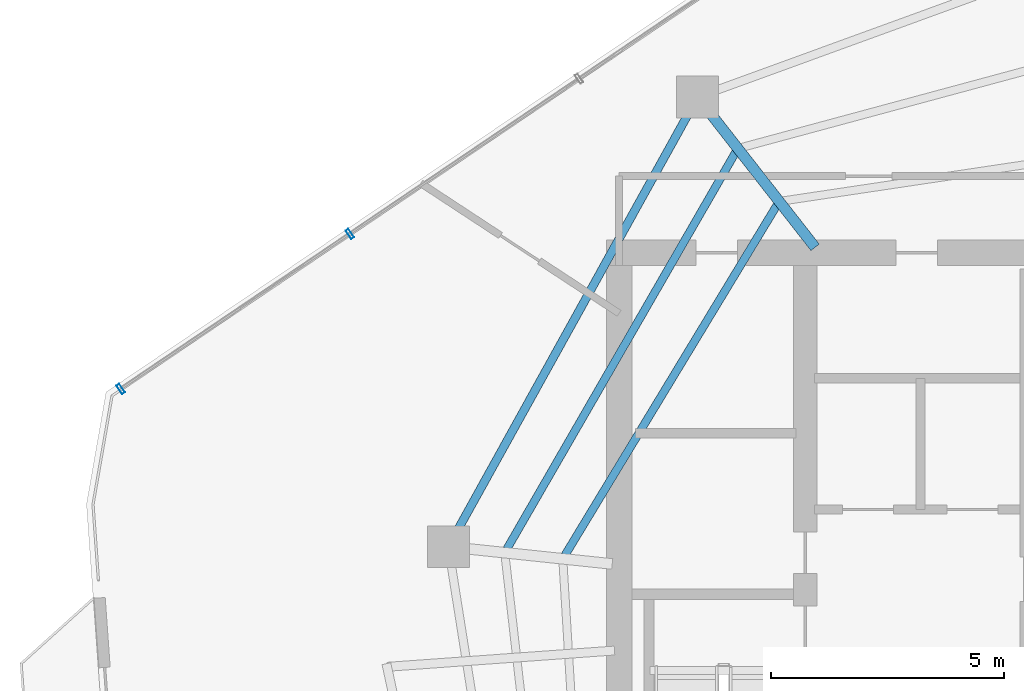
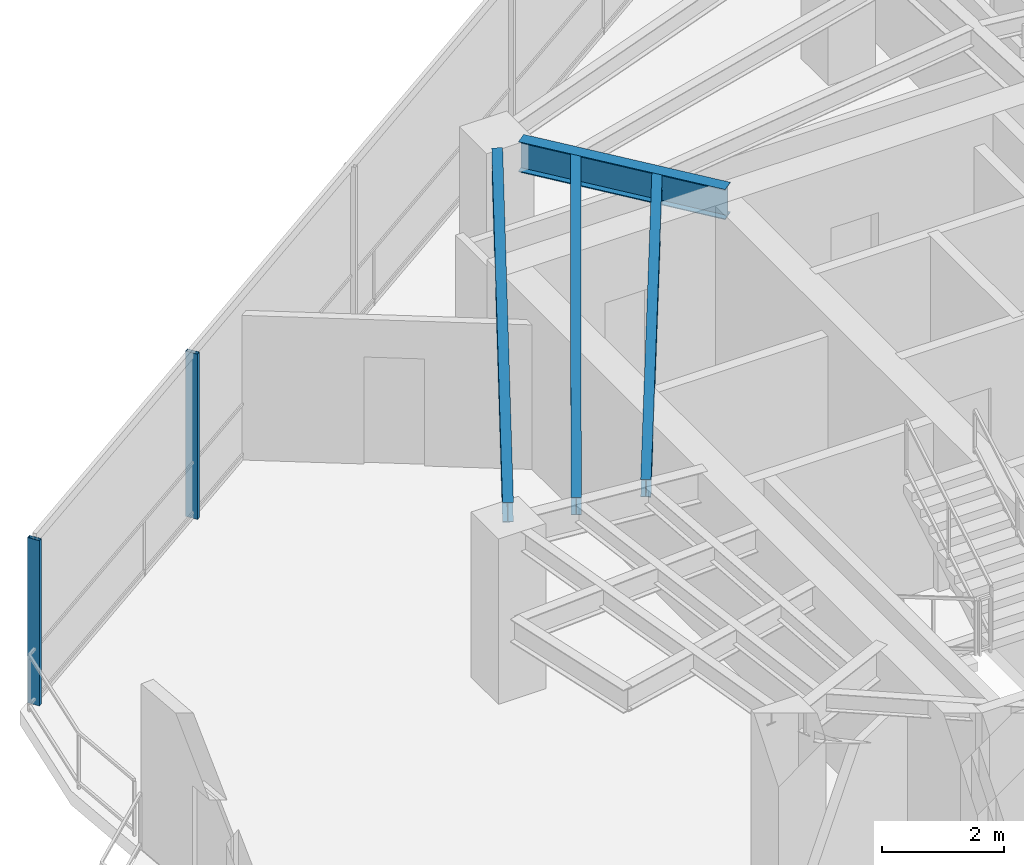
# One storey, part 7 of 20: 4 beams, 2 members, 1 element without a shape of its own.
"""IFC4 building model written with IfcOpenShell, lengths in metres."""

from ifc_helpers import new_model, si_unit, direction, frame, origin, origin_2d, place, context, subcontext, project, spatial, hollow_rectangle, i_section, extrude, material, layer, layer_set, material_profile, profile_set, type_object, element, aggregate, save


model = new_model("IFC4")

# Units and contexts
model_context = context("Model", 3, precision=1e-05, world=origin(), true_north=direction((0.0, 1.0)))
body_context = subcontext(model_context, "Body", "Model", "MODEL_VIEW")
ifc_project = project(units=[si_unit("LENGTHUNIT", "METRE"), si_unit("AREAUNIT", "SQUARE_METRE"), si_unit("VOLUMEUNIT", "CUBIC_METRE"), si_unit("PLANEANGLEUNIT", "RADIAN"), si_unit("MASSUNIT", "GRAM", prefix="KILO")], contexts=[model_context])

# Site, building, storey
site_placement = place(None, origin())
site = spatial("IfcSite", under=ifc_project, at=site_placement, CompositionType="ELEMENT")
building_placement = place(site_placement, origin())
building = spatial("IfcBuilding", under=site, at=building_placement, Name="Qarnah Convention Tower", CompositionType="ELEMENT")
storey_placement = place(building_placement, frame((0.0, 0.0, 195.0)))
storey = spatial("IfcBuildingStorey", under=building, at=storey_placement, Name="L52", CompositionType="ELEMENT", Elevation=195.0)

# Beams
ifc_material_1 = material(Name="Structural steel S355JR", Category="steel")
ifc_material_profile_1 = material_profile(ifc_material_1, i_section(OverallWidth=0.172119140625, OverallDepth=0.35595703125, WebThickness=0.007080078125, FlangeThickness=0.011962890625, at=origin_2d()), Name="W360X51")
ifc_profile_set_1 = profile_set([ifc_material_profile_1], Name="Structural steel S355JR")
beam_type_1 = type_object("IfcBeamType", Name="BM-JST-W360", PredefinedType="JOIST", material=ifc_profile_set_1)
beam_1_placement = place(storey_placement, frame((29.306884765625, 36.365966796875, 3.14208984375), z_axis=(-0.499518662922, -0.866303125582, 0.0), x_axis=(0.866303125582, -0.499518662922, 0.0)))
element("IfcBeam", 1, at=beam_1_placement, inside=storey, type_object=beam_type_1, Name="L52 joist BM-L52-SJST-04", PredefinedType="JOIST", context=body_context, shape_type="SweptSolid", body=[
    extrude(i_section(OverallWidth=0.172119140625, OverallDepth=0.35595703125, WebThickness=0.007080078125, FlangeThickness=0.011962890625, at=origin_2d()), origin(), (0.0, 0.0, 1.0), 9.853271484375),
])
beam_2_placement = place(storey_placement, frame((30.195068359375, 35.22802734375, 3.14208984375), z_axis=(-0.517953819746, -0.855408581095, 0.0), x_axis=(0.855408581095, -0.517953819746, 0.0)))
element("IfcBeam", 2, at=beam_2_placement, inside=storey, type_object=beam_type_1, Name="L52 joist BM-L52-IJST-04", PredefinedType="JOIST", context=body_context, shape_type="SweptSolid", body=[
    extrude(i_section(OverallWidth=0.172119140625, OverallDepth=0.35595703125, WebThickness=0.007080078125, FlangeThickness=0.011962890625, at=origin_2d()), origin(), (0.0, 0.0, 1.0), 8.803955078125),
])
ifc_material_profile_2 = material_profile(ifc_material_1, i_section(OverallWidth=0.22802734375, OverallDepth=0.60791015625, WebThickness=0.010986328125, FlangeThickness=0.01708984375, at=origin_2d()), Name="W610X113")
ifc_profile_set_2 = profile_set([ifc_material_profile_2], Name="Structural steel S355JR")
beam_type_2 = type_object("IfcBeamType", Name="BM-RAD-W610B", PredefinedType="BEAM", material=ifc_profile_set_2)
beam_3_placement = place(storey_placement, frame((31.013916015625, 34.318115234375, 3.01611328125), z_axis=(-0.615807906571, 0.787896327066, 0.0), x_axis=(-0.787896327066, -0.615807906571, 0.0)))
element("IfcBeam", 3, at=beam_3_placement, inside=storey, type_object=beam_type_2, Name="L52 beam BM-L52-RAD-04", PredefinedType="BEAM", context=body_context, shape_type="SweptSolid", body=[
    extrude(i_section(OverallWidth=0.22802734375, OverallDepth=0.60791015625, WebThickness=0.010986328125, FlangeThickness=0.01708984375, at=origin_2d()), origin(), (0.0, 0.0, 1.0), 3.671630859375),
])
ifc_material_profile_3 = material_profile(ifc_material_1, i_section(OverallWidth=0.179931640625, OverallDepth=0.39990234375, WebThickness=0.009033203125, FlangeThickness=0.013916015625, at=origin_2d()), Name="IPE400")
ifc_profile_set_3 = profile_set([ifc_material_profile_3], Name="Structural steel S355JR")
beam_type_3 = type_object("IfcBeamType", Name="BM-SPN-IPE400", PredefinedType="SPANDREL", material=ifc_profile_set_3)
beam_4_placement = place(storey_placement, frame((28.27490234375, 37.1650390625, 3.1201171875), z_axis=(-0.48479945923, -0.874625339406, 0.0), x_axis=(0.874625339406, -0.48479945923, 0.0)))
element("IfcBeam", 4, at=beam_4_placement, inside=storey, type_object=beam_type_3, Name="L52 spandrel BM-L52-SPN-04", PredefinedType="SPANDREL", context=body_context, shape_type="SweptSolid", body=[
    extrude(i_section(OverallWidth=0.179931640625, OverallDepth=0.39990234375, WebThickness=0.009033203125, FlangeThickness=0.013916015625, at=origin_2d()), origin(), (0.0, 0.0, 1.0), 10.177001953125),
])

# Curtain wall, members
ifc_material_2 = material(Name="Tempered Low-E dark glass", Category="glass")
ifc_layer = layer(ifc_material_2, 0.174072265625)
ifc_layer_set = layer_set([ifc_layer], Name="Tempered Low-E dark glass")
curtain_wall_type = type_object("IfcCurtainWallType", Name="CWS-04", PredefinedType="NOTDEFINED", material=ifc_layer_set)
curtain_wall_placement = place(storey_placement, origin())
curtain_wall = element("IfcCurtainWall", 5, at=curtain_wall_placement, inside=storey, type_object=curtain_wall_type, Name="L52 unitised curtain wall CW-L52-F1", PredefinedType="NOTDEFINED")
ifc_material_3 = material(Name="Black anodised aluminium", Category="aluminium")
ifc_material_profile_4 = material_profile(ifc_material_3, hollow_rectangle(XDim=0.074951171875, YDim=0.219970703125, WallThickness=0.0048828125, at=origin_2d()), Name="MUL-75X220")
ifc_profile_set_4 = profile_set([ifc_material_profile_4], Name="Black anodised aluminium")
member_type = type_object("IfcMemberType", Name="MUL-T4", PredefinedType="MULLION", material=ifc_profile_set_4)
member_1_placement = place(storey_placement, frame((16.08203125, 31.27490234375, 0.0), z_axis=(0.0, 0.0, 1.0), x_axis=(0.828250839809, 0.560357516552, 0.0)))
member_1 = element("IfcMember", 6, at=member_1_placement, type_object=member_type, Name="CW-L52-F1 mullion 1", PredefinedType="MULLION", context=body_context, shape_type="SweptSolid", body=[
    extrude(hollow_rectangle(XDim=0.074951171875, YDim=0.219970703125, WallThickness=0.0048828125, at=origin_2d()), origin(), (0.0, 0.0, 1.0), 3.320068359375),
])
member_2_placement = place(storey_placement, frame((21.01025390625, 34.609130859375, 0.0), z_axis=(0.0, 0.0, 1.0), x_axis=(0.828250839809, 0.560357516552, 0.0)))
member_2 = element("IfcMember", 7, at=member_2_placement, type_object=member_type, Name="CW-L52-F1 mullion 2", PredefinedType="MULLION", context=body_context, shape_type="SweptSolid", body=[
    extrude(hollow_rectangle(XDim=0.074951171875, YDim=0.219970703125, WallThickness=0.0048828125, at=origin_2d()), origin(), (0.0, 0.0, 1.0), 3.320068359375),
])
aggregate(curtain_wall, [member_1, member_2])

save(model, "model.ifc")
